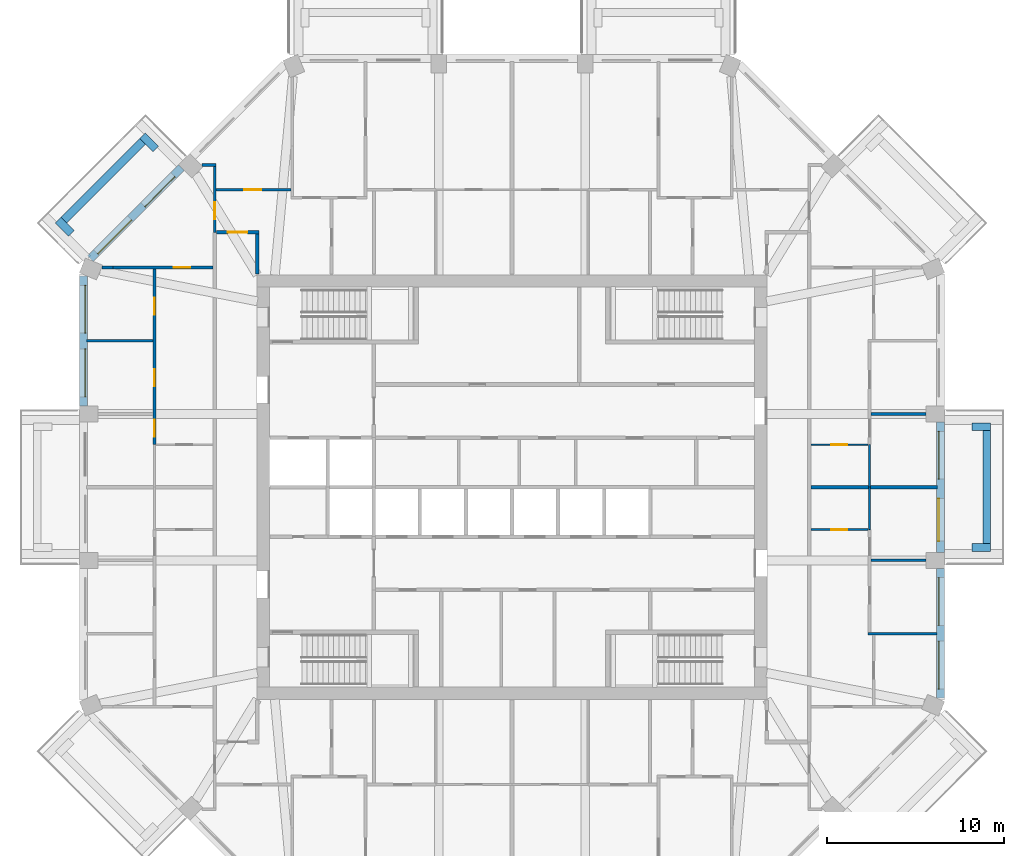
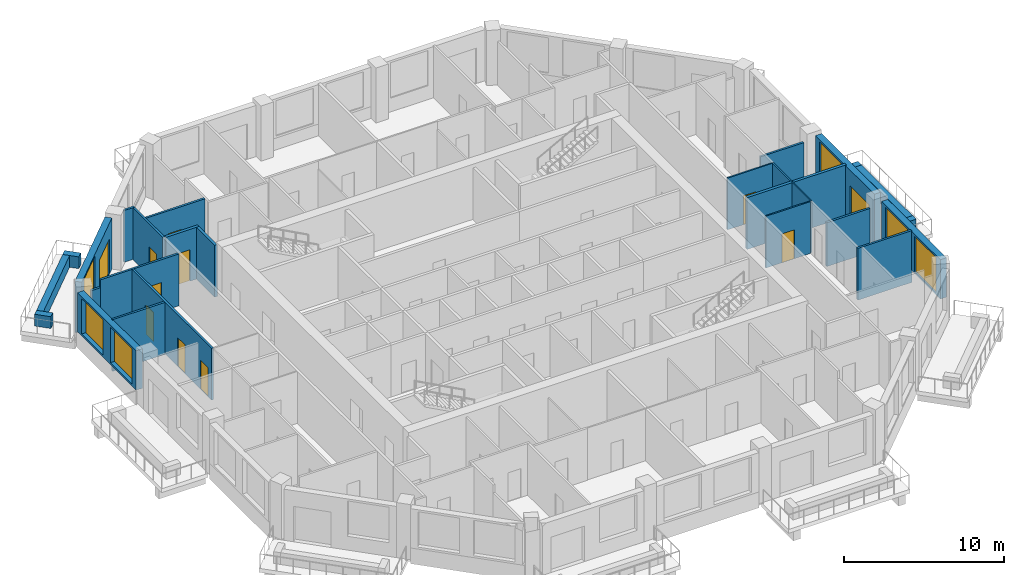
# One storey, part 7 of 12: 27 walls, 11 doors, 6 windows, 17 openings.
"""IFC4 building model written with IfcOpenShell, lengths in metres."""

from ifc_helpers import new_model, si_unit, direction, frame, frame_2d, origin, place, context, subcontext, project, spatial, rectangle, extrude, material, layer, layer_set, type_object, element, fill, save


model = new_model("IFC4")

# Units and contexts
model_context = context("Model", 3, precision=1e-05, world=origin(), true_north=direction((0.0, 1.0)))
body_context = subcontext(model_context, "Body", "Model", "MODEL_VIEW")
ifc_project = project(units=[si_unit("LENGTHUNIT", "METRE"), si_unit("AREAUNIT", "SQUARE_METRE"), si_unit("VOLUMEUNIT", "CUBIC_METRE"), si_unit("PLANEANGLEUNIT", "RADIAN"), si_unit("MASSUNIT", "GRAM", prefix="KILO")], contexts=[model_context])

# Site, building, storey
site_placement = place(None, origin())
site = spatial("IfcSite", under=ifc_project, at=site_placement, CompositionType="ELEMENT")
building_placement = place(site_placement, origin())
building = spatial("IfcBuilding", under=site, at=building_placement, Name="Msitu Wima Residences", CompositionType="ELEMENT")
storey_placement = place(building_placement, frame((0.0, 0.0, 174.89990234375)))
storey = spatial("IfcBuildingStorey", under=building, at=storey_placement, Name="L40", CompositionType="ELEMENT", Elevation=174.89990234375)

# Walls
ifc_material_1 = material(Name="Facing brick")
ifc_layer_1 = layer(ifc_material_1, 0.06494140625, Name="Facing brick")
ifc_material_2 = material(Name="Concrete C40/50", Category="concrete")
ifc_layer_2 = layer(ifc_material_2, 0.156005859375, Name="Concrete C40/50")
ifc_material_3 = material(Name="Waterproofing membrane")
ifc_layer_3 = layer(ifc_material_3, 0.00390625, Name="Waterproofing membrane")
ifc_material_4 = material(Name="Planting soil and planting")
ifc_layer_4 = layer(ifc_material_4, 0.22509765625, Name="Planting soil and planting")
ifc_layer_set_1 = layer_set([ifc_layer_1, ifc_layer_2, ifc_layer_3, ifc_layer_4], Name="Concrete C40/50")
wall_type_1 = type_object("IfcWallType", Name="Balcony planter PLANTER PL450", PredefinedType="USERDEFINED", material=ifc_layer_set_1)
wall_1_placement = place(storey_placement, frame((26.824951171875, -3.187255859375, 0.0), z_axis=(0.0, 0.0, 1.0), x_axis=(0.0, 1.0, 0.0)))
element("IfcWall", 1, at=wall_1_placement, inside=storey, type_object=wall_type_1, Name="Balcony planter E1 L40", ObjectType="PLANTER", PredefinedType="USERDEFINED", context=body_context, shape_type="SweptSolid", body=[
    extrude(rectangle(XDim=6.37451171875, YDim=0.449951171875, at=frame_2d((3.187255859375, 0.0))), origin(), (0.0, 0.0, 1.0), 0.900146484375),
])
for number, where, z_axis, x_axis, name in (
    (2, (26.0, -3.412353515625, 0.0), (0.0, 0.0, 1.0), (1.0, 0.0, 0.0), "Balcony planter E1 L40"),
    (3, (26.0, 3.412353515625, 0.0), (0.0, 0.0, 1.0), (1.0, 0.0, 0.0), "Balcony planter E1 L40"),
):
    element("IfcWall", number, at=place(storey_placement, frame(where, z_axis=z_axis, x_axis=x_axis)), inside=storey, type_object=wall_type_1, Name=name, ObjectType="PLANTER", PredefinedType="USERDEFINED", context=body_context, shape_type="SweptSolid", body=[
        extrude(rectangle(XDim=1.050048828125, YDim=0.449951171875, at=frame_2d((0.52490234375, 0.0))), origin(), (0.0, 0.0, 1.0), 0.900146484375),
    ])
wall_2_placement = place(storey_placement, frame((-20.875244140625, 19.53173828125, 0.0), z_axis=(0.0, 0.0, 1.0), x_axis=(-0.707106781187, -0.707106781187, 0.0)))
element("IfcWall", 4, at=wall_2_placement, inside=storey, type_object=wall_type_1, Name="Balcony planter NW1 L40", ObjectType="PLANTER", PredefinedType="USERDEFINED", context=body_context, shape_type="SweptSolid", body=[
    extrude(rectangle(XDim=6.294189453125, YDim=0.449951171875, at=frame_2d((3.14697265625, 0.0))), origin(), (0.0, 0.0, 1.0), 0.900146484375),
])
for number, where, z_axis, x_axis, name in (
    (5, (-20.1328125, 19.107421875, 0.0), (0.0, 0.0, 1.0), (-0.707106781187, 0.707106781187, 0.0), "Balcony planter NW1 L40"),
    (6, (-24.901611328125, 14.338623046875, 0.0), (0.0, 0.0, 1.0), (-0.707106781187, 0.707106781187, 0.0), "Balcony planter NW1 L40"),
):
    element("IfcWall", number, at=place(storey_placement, frame(where, z_axis=z_axis, x_axis=x_axis)), inside=storey, type_object=wall_type_1, Name=name, ObjectType="PLANTER", PredefinedType="USERDEFINED", context=body_context, shape_type="SweptSolid", body=[
        extrude(rectangle(XDim=1.050048828125, YDim=0.449951171875, at=frame_2d((0.52490234375, 0.0))), origin(), (0.0, 0.0, 1.0), 0.900146484375),
    ])

# Wall, openings, windows
ifc_material_5 = material(Name="Brick (red buff mix)", Category="masonry")
ifc_layer_5 = layer(ifc_material_5, 0.449951171875)
ifc_layer_set_2 = layer_set([ifc_layer_5], Name="Brick (red buff mix)")
wall_type_2 = type_object("IfcWallType", Name="Brick infill wall BW450", PredefinedType="SOLIDWALL", material=ifc_layer_set_2)
wall_3_placement = place(storey_placement, frame((24.22509765625, -11.9248046875, 0.900146484375), z_axis=(0.0, 0.0, 1.0), x_axis=(0.0, 1.0, 0.0)))
wall_3 = element("IfcWall", 7, at=wall_3_placement, inside=storey, type_object=wall_type_2, Name="Brick infill wall L40 E0", PredefinedType="SOLIDWALL", context=body_context, shape_type="SweptSolid", body=[
    extrude(rectangle(XDim=7.337646484375, YDim=0.449951171875, at=frame_2d((3.6689453125, 0.0))), origin(), (0.0, 0.0, 1.0), 3.0),
])
opening_1_placement = place(wall_3_placement, frame((0.518798828125, 0.0, 0.14990234375)))
opening_1 = element("IfcOpeningElement", 8, at=opening_1_placement, cuts=wall_3, Name="Opening W40-42.001", PredefinedType="OPENING", context=body_context, shape_type="SweptSolid", body=[
    extrude(rectangle(XDim=2.699951171875, YDim=2.699951171875, at=frame_2d((1.35009765625, 1.35009765625))), frame((0.0, 0.23486328125, 0.0), z_axis=(0.0, -1.0, 0.0), x_axis=(1.0, 0.0, 0.0)), (0.0, 0.0, 1.0), 0.469970703125),
])
opening_2_placement = place(wall_3_placement, frame((4.11865234375, 0.0, 0.14990234375)))
opening_2 = element("IfcOpeningElement", 9, at=opening_2_placement, cuts=wall_3, Name="Opening W40-42.002", PredefinedType="OPENING", context=body_context, shape_type="SweptSolid", body=[
    extrude(rectangle(XDim=2.699951171875, YDim=2.699951171875, at=frame_2d((1.35009765625, 1.35009765625))), frame((0.0, 0.23486328125, 0.0), z_axis=(0.0, -1.0, 0.0), x_axis=(1.0, 0.0, 0.0)), (0.0, 0.0, 1.0), 0.469970703125),
])
ifc_material_6 = material(Name="Anodised aluminium, bronze finish, clear low-emissivity double glazing", Category="aluminium")
window_type = type_object("IfcWindowType", Name="Window W2700x2700", PartitioningType="DOUBLE_PANEL_VERTICAL", PredefinedType="WINDOW", material=ifc_material_6)
window_1_placement = place(opening_1_placement, origin())
window_1 = element("IfcWindow", 10, at=window_1_placement, inside=storey, type_object=window_type, Name="Window L40 E0.1", OverallHeight=2.699951171875, OverallWidth=2.699951171875, PartitioningType="SINGLE_PANEL", PredefinedType="WINDOW", context=body_context, shape_type="SweptSolid", body=[
    extrude(rectangle(XDim=2.699951171875, YDim=2.699951171875, at=frame_2d((1.35009765625, 1.35009765625))), frame((0.0, 0.135009765625, 0.0), z_axis=(0.0, -1.0, 0.0), x_axis=(1.0, 0.0, 0.0)), (0.0, 0.0, 1.0), 0.06005859375),
])
fill(opening_1, window_1)
window_2_placement = place(opening_2_placement, origin())
window_2 = element("IfcWindow", 11, at=window_2_placement, inside=storey, type_object=window_type, Name="Window L40 E0.2", OverallHeight=2.699951171875, OverallWidth=2.699951171875, PartitioningType="SINGLE_PANEL", PredefinedType="WINDOW", context=body_context, shape_type="SweptSolid", body=[
    extrude(rectangle(XDim=2.699951171875, YDim=2.699951171875, at=frame_2d((1.35009765625, 1.35009765625))), frame((0.0, 0.135009765625, 0.0), z_axis=(0.0, -1.0, 0.0), x_axis=(1.0, 0.0, 0.0)), (0.0, 0.0, 1.0), 0.06005859375),
])
fill(opening_2, window_2)

# Wall, openings, door, window
wall_4_placement = place(storey_placement, frame((24.22509765625, -3.687255859375, 0.0), z_axis=(0.0, 0.0, 1.0), x_axis=(0.0, 1.0, 0.0)))
wall_4 = element("IfcWall", 12, at=wall_4_placement, inside=storey, type_object=wall_type_2, Name="Brick infill wall L40 E1", PredefinedType="SOLIDWALL", context=body_context, shape_type="SweptSolid", body=[
    extrude(rectangle(XDim=7.37451171875, YDim=0.449951171875, at=frame_2d((3.687255859375, 0.0))), origin(), (0.0, 0.0, 1.0), 3.900146484375),
])
opening_3_placement = place(wall_4_placement, frame((0.6435546875, 0.0, 0.0)))
opening_3 = element("IfcOpeningElement", 13, at=opening_3_placement, cuts=wall_4, Name="Opening D40-42.001", PredefinedType="OPENING", context=body_context, shape_type="SweptSolid", body=[
    extrude(rectangle(XDim=2.39990234375, YDim=2.699951171875, at=frame_2d((1.199951171875, 1.35009765625))), frame((0.0, 0.23486328125, 0.0), z_axis=(0.0, -1.0, 0.0), x_axis=(1.0, 0.0, 0.0)), (0.0, 0.0, 1.0), 0.469970703125),
])
opening_4_placement = place(wall_4_placement, frame((4.13720703125, 0.0, 1.050048828125)))
opening_4 = element("IfcOpeningElement", 14, at=opening_4_placement, cuts=wall_4, Name="Opening W40-42.003", PredefinedType="OPENING", context=body_context, shape_type="SweptSolid", body=[
    extrude(rectangle(XDim=2.699951171875, YDim=2.699951171875, at=frame_2d((1.35009765625, 1.35009765625))), frame((0.0, 0.23486328125, 0.0), z_axis=(0.0, -1.0, 0.0), x_axis=(1.0, 0.0, 0.0)), (0.0, 0.0, 1.0), 0.469970703125),
])
door_type_1 = type_object("IfcDoorType", Name="Balcony door D2400x2700", OperationType="SLIDING_TO_LEFT", PredefinedType="DOOR", material=ifc_material_6)
door_1_placement = place(opening_3_placement, origin())
door_1 = element("IfcDoor", 15, at=door_1_placement, inside=storey, type_object=door_type_1, Name="Balcony door L40 E1", OperationType="SINGLE_SWING_LEFT", OverallHeight=2.699951171875, OverallWidth=2.39990234375, PredefinedType="DOOR", context=body_context, shape_type="SweptSolid", body=[
    extrude(rectangle(XDim=2.39990234375, YDim=2.699951171875, at=frame_2d((1.199951171875, 1.35009765625))), frame((0.0, 0.1298828125, 0.0), z_axis=(0.0, -1.0, 0.0), x_axis=(1.0, 0.0, 0.0)), (0.0, 0.0, 1.0), 0.050048828125),
])
fill(opening_3, door_1)
window_3_placement = place(opening_4_placement, origin())
window_3 = element("IfcWindow", 16, at=window_3_placement, inside=storey, type_object=window_type, Name="Window L40 E1.2", OverallHeight=2.699951171875, OverallWidth=2.699951171875, PartitioningType="SINGLE_PANEL", PredefinedType="WINDOW", context=body_context, shape_type="SweptSolid", body=[
    extrude(rectangle(XDim=2.699951171875, YDim=2.699951171875, at=frame_2d((1.35009765625, 1.35009765625))), frame((0.0, 0.135009765625, 0.0), z_axis=(0.0, -1.0, 0.0), x_axis=(1.0, 0.0, 0.0)), (0.0, 0.0, 1.0), 0.06005859375),
])
fill(opening_4, window_3)

wall_5_placement = place(storey_placement, frame((-18.68310546875, 18.046875, 0.0), z_axis=(0.0, 0.0, 1.0), x_axis=(-0.707106781187, -0.707106781187, 0.0)))
wall_5 = element("IfcWall", 17, at=wall_5_placement, inside=storey, type_object=wall_type_2, Name="Brick infill wall L40 NW1", PredefinedType="SOLIDWALL", context=body_context, shape_type="SweptSolid", body=[
    extrude(rectangle(XDim=7.257080078125, YDim=0.449951171875, at=frame_2d((3.62841796875, 0.0))), origin(), (0.0, 0.0, 1.0), 3.900146484375),
])
opening_5_placement = place(wall_5_placement, frame((0.6142578125, 0.0, 0.0)))
opening_5 = element("IfcOpeningElement", 18, at=opening_5_placement, cuts=wall_5, Name="Opening D40-42.005", PredefinedType="OPENING", context=body_context, shape_type="SweptSolid", body=[
    extrude(rectangle(XDim=2.39990234375, YDim=2.699951171875, at=frame_2d((1.199951171875, 1.35009765625))), frame((0.0, 0.23486328125, 0.0), z_axis=(0.0, -1.0, 0.0), x_axis=(1.0, 0.0, 0.0)), (0.0, 0.0, 1.0), 0.469970703125),
])
opening_6_placement = place(wall_5_placement, frame((4.07861328125, 0.0, 1.050048828125)))
opening_6 = element("IfcOpeningElement", 19, at=opening_6_placement, cuts=wall_5, Name="Opening W40-42.015", PredefinedType="OPENING", context=body_context, shape_type="SweptSolid", body=[
    extrude(rectangle(XDim=2.699951171875, YDim=2.699951171875, at=frame_2d((1.35009765625, 1.35009765625))), frame((0.0, 0.23486328125, 0.0), z_axis=(0.0, -1.0, 0.0), x_axis=(1.0, 0.0, 0.0)), (0.0, 0.0, 1.0), 0.469970703125),
])
door_2_placement = place(opening_5_placement, origin())
door_2 = element("IfcDoor", 20, at=door_2_placement, inside=storey, type_object=door_type_1, Name="Balcony door L40 NW1", OperationType="SINGLE_SWING_LEFT", OverallHeight=2.699951171875, OverallWidth=2.39990234375, PredefinedType="DOOR", context=body_context, shape_type="SweptSolid", body=[
    extrude(rectangle(XDim=2.39990234375, YDim=2.699951171875, at=frame_2d((1.199951171875, 1.35009765625))), frame((0.0, 0.1298828125, 0.0), z_axis=(0.0, -1.0, 0.0), x_axis=(1.0, 0.0, 0.0)), (0.0, 0.0, 1.0), 0.050048828125),
])
fill(opening_5, door_2)
window_4_placement = place(opening_6_placement, origin())
window_4 = element("IfcWindow", 21, at=window_4_placement, inside=storey, type_object=window_type, Name="Window L40 NW1.2", OverallHeight=2.699951171875, OverallWidth=2.699951171875, PartitioningType="SINGLE_PANEL", PredefinedType="WINDOW", context=body_context, shape_type="SweptSolid", body=[
    extrude(rectangle(XDim=2.699951171875, YDim=2.699951171875, at=frame_2d((1.35009765625, 1.35009765625))), frame((0.0, 0.135009765625, 0.0), z_axis=(0.0, -1.0, 0.0), x_axis=(1.0, 0.0, 0.0)), (0.0, 0.0, 1.0), 0.06005859375),
])
fill(opening_6, window_4)

# Wall, openings, windows
wall_6_placement = place(storey_placement, frame((-24.22509765625, 11.9248046875, 0.900146484375), z_axis=(0.0, 0.0, 1.0), x_axis=(0.0, -1.0, 0.0)))
wall_6 = element("IfcWall", 22, at=wall_6_placement, inside=storey, type_object=wall_type_2, Name="Brick infill wall L40 W0", PredefinedType="SOLIDWALL", context=body_context, shape_type="SweptSolid", body=[
    extrude(rectangle(XDim=7.337646484375, YDim=0.449951171875, at=frame_2d((3.6689453125, 0.0))), origin(), (0.0, 0.0, 1.0), 3.0),
])
opening_7_placement = place(wall_6_placement, frame((0.518798828125, 0.0, 0.14990234375)))
opening_7 = element("IfcOpeningElement", 23, at=opening_7_placement, cuts=wall_6, Name="Opening W40-42.026", PredefinedType="OPENING", context=body_context, shape_type="SweptSolid", body=[
    extrude(rectangle(XDim=2.699951171875, YDim=2.699951171875, at=frame_2d((1.35009765625, 1.35009765625))), frame((0.0, 0.23486328125, 0.0), z_axis=(0.0, -1.0, 0.0), x_axis=(1.0, 0.0, 0.0)), (0.0, 0.0, 1.0), 0.469970703125),
])
opening_8_placement = place(wall_6_placement, frame((4.11865234375, 0.0, 0.14990234375)))
opening_8 = element("IfcOpeningElement", 24, at=opening_8_placement, cuts=wall_6, Name="Opening W40-42.027", PredefinedType="OPENING", context=body_context, shape_type="SweptSolid", body=[
    extrude(rectangle(XDim=2.699951171875, YDim=2.699951171875, at=frame_2d((1.35009765625, 1.35009765625))), frame((0.0, 0.23486328125, 0.0), z_axis=(0.0, -1.0, 0.0), x_axis=(1.0, 0.0, 0.0)), (0.0, 0.0, 1.0), 0.469970703125),
])
window_5_placement = place(opening_7_placement, origin())
window_5 = element("IfcWindow", 25, at=window_5_placement, inside=storey, type_object=window_type, Name="Window L40 W0.1", OverallHeight=2.699951171875, OverallWidth=2.699951171875, PartitioningType="SINGLE_PANEL", PredefinedType="WINDOW", context=body_context, shape_type="SweptSolid", body=[
    extrude(rectangle(XDim=2.699951171875, YDim=2.699951171875, at=frame_2d((1.35009765625, 1.35009765625))), frame((0.0, 0.135009765625, 0.0), z_axis=(0.0, -1.0, 0.0), x_axis=(1.0, 0.0, 0.0)), (0.0, 0.0, 1.0), 0.06005859375),
])
fill(opening_7, window_5)
window_6_placement = place(opening_8_placement, origin())
window_6 = element("IfcWindow", 26, at=window_6_placement, inside=storey, type_object=window_type, Name="Window L40 W0.2", OverallHeight=2.699951171875, OverallWidth=2.699951171875, PartitioningType="SINGLE_PANEL", PredefinedType="WINDOW", context=body_context, shape_type="SweptSolid", body=[
    extrude(rectangle(XDim=2.699951171875, YDim=2.699951171875, at=frame_2d((1.35009765625, 1.35009765625))), frame((0.0, 0.135009765625, 0.0), z_axis=(0.0, -1.0, 0.0), x_axis=(1.0, 0.0, 0.0)), (0.0, 0.0, 1.0), 0.06005859375),
])
fill(opening_8, window_6)

# Wall, opening, door
ifc_material_7 = material(Name="Plaster")
ifc_layer_6 = layer(ifc_material_7, 0.011962890625, Name="Plaster")
ifc_material_8 = material(Name="Concrete blockwork", Category="masonry")
ifc_layer_7 = layer(ifc_material_8, 0.176025390625, Name="Concrete blockwork")
ifc_layer_8 = layer(ifc_material_7, 0.011962890625, Name="Plaster")
ifc_layer_set_3 = layer_set([ifc_layer_6, ifc_layer_7, ifc_layer_8], Name="Concrete blockwork")
wall_type_3 = type_object("IfcWallType", Name="Corridor wall FW200", PredefinedType="PARTITIONING", material=ifc_layer_set_3)
wall_7_placement = place(storey_placement, frame((-16.699951171875, 14.39990234375, 0.0), z_axis=(0.0, 0.0, 1.0), x_axis=(1.0, 0.0, 0.0)))
wall_7 = element("IfcWall", 27, at=wall_7_placement, inside=storey, type_object=wall_type_3, Name="Corridor wall", PredefinedType="PARTITIONING", context=body_context, shape_type="SweptSolid", body=[
    extrude(rectangle(XDim=2.39990234375, YDim=0.199951171875, at=frame_2d((1.199951171875, 0.0))), origin(), (0.0, 0.0, 1.0), 3.9501953125),
])
opening_9_placement = place(wall_7_placement, frame((0.64990234375, 0.0, 0.0)))
opening_9 = element("IfcOpeningElement", 28, at=opening_9_placement, cuts=wall_7, Name="Opening D40-42.025", PredefinedType="OPENING", context=body_context, shape_type="SweptSolid", body=[
    extrude(rectangle(XDim=1.10009765625, YDim=2.39990234375, at=frame_2d((0.550048828125, 1.199951171875))), frame((0.0, 0.10986328125, 0.0), z_axis=(0.0, -1.0, 0.0), x_axis=(1.0, 0.0, 0.0)), (0.0, 0.0, 1.0), 0.219970703125),
])
ifc_material_9 = material(Name="Timber flush door, fire resisting, self-closing", Category="wood")
door_type_2 = type_object("IfcDoorType", Name="Flat entrance door D01 1100x2400", OperationType="SINGLE_SWING_LEFT", PredefinedType="DOOR", material=ifc_material_9)
door_3_placement = place(opening_9_placement, origin())
door_3 = element("IfcDoor", 29, at=door_3_placement, inside=storey, type_object=door_type_2, Name="Flat entrance door", OperationType="SINGLE_SWING_LEFT", OverallHeight=2.39990234375, OverallWidth=1.10009765625, PredefinedType="DOOR", context=body_context, shape_type="SweptSolid", body=[
    extrude(rectangle(XDim=1.10009765625, YDim=2.39990234375, at=frame_2d((0.550048828125, 1.199951171875))), frame((0.0, 0.02490234375, 0.0), z_axis=(0.0, -1.0, 0.0), x_axis=(1.0, 0.0, 0.0)), (0.0, 0.0, 1.0), 0.050048828125),
])
fill(opening_9, door_3)

# Walls
wall_8_placement = place(storey_placement, frame((-14.39990234375, 12.030029296875, 0.0), z_axis=(0.0, 0.0, 1.0), x_axis=(0.0, 1.0, 0.0)))
element("IfcWall", 30, at=wall_8_placement, inside=storey, type_object=wall_type_3, Name="Corridor wall", PredefinedType="PARTITIONING", context=body_context, shape_type="SweptSolid", body=[
    extrude(rectangle(XDim=2.27001953125, YDim=0.199951171875, at=frame_2d((1.135009765625, 0.0))), origin(), (0.0, 0.0, 1.0), 3.9501953125),
])
ifc_layer_9 = layer(ifc_material_7, 0.011962890625, Name="Plaster")
ifc_layer_10 = layer(ifc_material_8, 0.1259765625, Name="Concrete blockwork")
ifc_layer_11 = layer(ifc_material_7, 0.011962890625, Name="Plaster")
ifc_layer_set_4 = layer_set([ifc_layer_9, ifc_layer_10, ifc_layer_11], Name="Concrete blockwork")
wall_type_4 = type_object("IfcWallType", Name="Partition PW150", PredefinedType="PARTITIONING", material=ifc_layer_set_4)
wall_9_placement = place(storey_placement, frame((-24.054931640625, 8.2744140625, 0.0), z_axis=(0.0, 0.0, 1.0), x_axis=(1.0, 0.0, 0.0)))
element("IfcWall", 31, at=wall_9_placement, inside=storey, type_object=wall_type_4, Name="Partition", PredefinedType="PARTITIONING", context=body_context, shape_type="SweptSolid", body=[
    extrude(rectangle(XDim=3.780029296875, YDim=0.14990234375, at=frame_2d((1.89013671875, 0.0))), origin(), (0.0, 0.0, 1.0), 3.9501953125),
])
wall_10_placement = place(storey_placement, frame((-23.1689453125, 12.411865234375, 0.0), z_axis=(0.0, 0.0, 1.0), x_axis=(1.0, 0.0, 0.0)))
element("IfcWall", 32, at=wall_10_placement, inside=storey, type_object=wall_type_4, Name="Partition", PredefinedType="PARTITIONING", context=body_context, shape_type="SweptSolid", body=[
    extrude(rectangle(XDim=0.630615234375, YDim=0.14990234375, at=frame_2d((0.3154296875, 0.0))), origin(), (0.0, 0.0, 1.0), 3.35009765625),
])

# Wall, opening, door
wall_11_placement = place(storey_placement, frame((-22.538330078125, 12.411865234375, 0.0), z_axis=(0.0, 0.0, 1.0), x_axis=(1.0, 0.0, 0.0)))
wall_11 = element("IfcWall", 33, at=wall_11_placement, inside=storey, type_object=wall_type_4, Name="Partition", PredefinedType="PARTITIONING", context=body_context, shape_type="SweptSolid", body=[
    extrude(rectangle(XDim=5.638427734375, YDim=0.14990234375, at=frame_2d((2.8193359375, 0.0))), origin(), (0.0, 0.0, 1.0), 3.9501953125),
])
opening_10_placement = place(wall_11_placement, frame((3.41943359375, 0.0, 0.0)))
opening_10 = element("IfcOpeningElement", 34, at=opening_10_placement, cuts=wall_11, Name="Opening D40-42.035", PredefinedType="OPENING", context=body_context, shape_type="SweptSolid", body=[
    extrude(rectangle(XDim=0.949951171875, YDim=2.199951171875, at=frame_2d((0.47509765625, 1.10009765625))), frame((0.0, 0.0849609375, 0.0), z_axis=(0.0, -1.0, 0.0), x_axis=(1.0, 0.0, 0.0)), (0.0, 0.0, 1.0), 0.169921875),
])
ifc_material_10 = material(Name="Timber flush door", Category="wood")
door_type_3 = type_object("IfcDoorType", Name="Room door D12 950x2200", OperationType="SINGLE_SWING_LEFT", PredefinedType="DOOR", material=ifc_material_10)
door_4_placement = place(opening_10_placement, origin())
door_4 = element("IfcDoor", 35, at=door_4_placement, inside=storey, type_object=door_type_3, Name="Room door", OperationType="SINGLE_SWING_RIGHT", OverallHeight=2.199951171875, OverallWidth=0.949951171875, PredefinedType="DOOR", context=body_context, shape_type="SweptSolid", body=[
    extrude(rectangle(XDim=0.949951171875, YDim=2.199951171875, at=frame_2d((0.47509765625, 1.10009765625))), frame((0.0, 0.02490234375, 0.0), z_axis=(0.0, -1.0, 0.0), x_axis=(1.0, 0.0, 0.0)), (0.0, 0.0, 1.0), 0.050048828125),
])
fill(opening_10, door_4)

# Wall, openings, doors
wall_12_placement = place(storey_placement, frame((-20.199951171875, 2.39990234375, 0.0), z_axis=(0.0, 0.0, 1.0), x_axis=(0.0, 1.0, 0.0)))
wall_12 = element("IfcWall", 36, at=wall_12_placement, inside=storey, type_object=wall_type_4, Name="Partition", PredefinedType="PARTITIONING", context=body_context, shape_type="SweptSolid", body=[
    extrude(rectangle(XDim=9.936767578125, YDim=0.14990234375, at=frame_2d((4.96826171875, 0.0))), origin(), (0.0, 0.0, 1.0), 3.9501953125),
])
opening_11_placement = place(wall_12_placement, frame((0.449951171875, 0.0, 0.0)))
opening_11 = element("IfcOpeningElement", 37, at=opening_11_placement, cuts=wall_12, Name="Opening D40-42.036", PredefinedType="OPENING", context=body_context, shape_type="SweptSolid", body=[
    extrude(rectangle(XDim=0.949951171875, YDim=2.199951171875, at=frame_2d((0.47509765625, 1.10009765625))), frame((0.0, 0.0849609375, 0.0), z_axis=(0.0, -1.0, 0.0), x_axis=(1.0, 0.0, 0.0)), (0.0, 0.0, 1.0), 0.169921875),
])
opening_12_placement = place(wall_12_placement, frame((3.300048828125, 0.0, 0.0)))
opening_12 = element("IfcOpeningElement", 38, at=opening_12_placement, cuts=wall_12, Name="Opening D40-42.037", PredefinedType="OPENING", context=body_context, shape_type="SweptSolid", body=[
    extrude(rectangle(XDim=0.949951171875, YDim=2.199951171875, at=frame_2d((0.47509765625, 1.10009765625))), frame((0.0, 0.0849609375, 0.0), z_axis=(0.0, -1.0, 0.0), x_axis=(1.0, 0.0, 0.0)), (0.0, 0.0, 1.0), 0.169921875),
])
opening_13_placement = place(wall_12_placement, frame((7.35009765625, 0.0, 0.0)))
opening_13 = element("IfcOpeningElement", 39, at=opening_13_placement, cuts=wall_12, Name="Opening D40-42.038", PredefinedType="OPENING", context=body_context, shape_type="SweptSolid", body=[
    extrude(rectangle(XDim=0.949951171875, YDim=2.199951171875, at=frame_2d((0.47509765625, 1.10009765625))), frame((0.0, 0.0849609375, 0.0), z_axis=(0.0, -1.0, 0.0), x_axis=(1.0, 0.0, 0.0)), (0.0, 0.0, 1.0), 0.169921875),
])
door_5_placement = place(opening_11_placement, origin())
door_5 = element("IfcDoor", 40, at=door_5_placement, inside=storey, type_object=door_type_3, Name="Room door", OperationType="SINGLE_SWING_RIGHT", OverallHeight=2.199951171875, OverallWidth=0.949951171875, PredefinedType="DOOR", context=body_context, shape_type="SweptSolid", body=[
    extrude(rectangle(XDim=0.949951171875, YDim=2.199951171875, at=frame_2d((0.47509765625, 1.10009765625))), frame((0.0, 0.02490234375, 0.0), z_axis=(0.0, -1.0, 0.0), x_axis=(1.0, 0.0, 0.0)), (0.0, 0.0, 1.0), 0.050048828125),
])
fill(opening_11, door_5)
door_6_placement = place(opening_12_placement, origin())
door_6 = element("IfcDoor", 41, at=door_6_placement, inside=storey, type_object=door_type_3, Name="Room door", OperationType="SINGLE_SWING_RIGHT", OverallHeight=2.199951171875, OverallWidth=0.949951171875, PredefinedType="DOOR", context=body_context, shape_type="SweptSolid", body=[
    extrude(rectangle(XDim=0.949951171875, YDim=2.199951171875, at=frame_2d((0.47509765625, 1.10009765625))), frame((0.0, 0.02490234375, 0.0), z_axis=(0.0, -1.0, 0.0), x_axis=(1.0, 0.0, 0.0)), (0.0, 0.0, 1.0), 0.050048828125),
])
fill(opening_12, door_6)
door_7_placement = place(opening_13_placement, origin())
door_7 = element("IfcDoor", 42, at=door_7_placement, inside=storey, type_object=door_type_3, Name="Room door", OperationType="SINGLE_SWING_LEFT", OverallHeight=2.199951171875, OverallWidth=0.949951171875, PredefinedType="DOOR", context=body_context, shape_type="SweptSolid", body=[
    extrude(rectangle(XDim=0.949951171875, YDim=2.199951171875, at=frame_2d((0.47509765625, 1.10009765625))), frame((0.0, 0.02490234375, 0.0), z_axis=(0.0, -1.0, 0.0), x_axis=(1.0, 0.0, 0.0)), (0.0, 0.0, 1.0), 0.050048828125),
])
fill(opening_13, door_7)

# Wall
wall_13_placement = place(storey_placement, frame((-17.509521484375, 18.205810546875, 0.0), z_axis=(0.0, 0.0, 1.0), x_axis=(1.0, 0.0, 0.0)))
element("IfcWall", 43, at=wall_13_placement, inside=storey, type_object=wall_type_4, Name="Partition", PredefinedType="PARTITIONING", context=body_context, shape_type="SweptSolid", body=[
    extrude(rectangle(XDim=0.784423828125, YDim=0.14990234375, at=frame_2d((0.39208984375, 0.0))), origin(), (0.0, 0.0, 1.0), 3.9501953125),
])

# Wall, opening, door
wall_14_placement = place(storey_placement, frame((-16.800048828125, 14.39990234375, 0.0), z_axis=(0.0, 0.0, 1.0), x_axis=(0.0, 1.0, 0.0)))
wall_14 = element("IfcWall", 44, at=wall_14_placement, inside=storey, type_object=wall_type_4, Name="Partition", PredefinedType="PARTITIONING", context=body_context, shape_type="SweptSolid", body=[
    extrude(rectangle(XDim=3.73095703125, YDim=0.14990234375, at=frame_2d((1.865478515625, 0.0))), origin(), (0.0, 0.0, 1.0), 3.9501953125),
])
opening_14_placement = place(wall_14_placement, frame((0.75, 0.0, 0.0)))
opening_14 = element("IfcOpeningElement", 45, at=opening_14_placement, cuts=wall_14, Name="Opening D40-42.033", PredefinedType="OPENING", context=body_context, shape_type="SweptSolid", body=[
    extrude(rectangle(XDim=0.949951171875, YDim=2.199951171875, at=frame_2d((0.47509765625, 1.10009765625))), frame((0.0, 0.0849609375, 0.0), z_axis=(0.0, -1.0, 0.0), x_axis=(1.0, 0.0, 0.0)), (0.0, 0.0, 1.0), 0.169921875),
])
door_8_placement = place(opening_14_placement, origin())
door_8 = element("IfcDoor", 46, at=door_8_placement, inside=storey, type_object=door_type_3, Name="Room door", OperationType="SINGLE_SWING_RIGHT", OverallHeight=2.199951171875, OverallWidth=0.949951171875, PredefinedType="DOOR", context=body_context, shape_type="SweptSolid", body=[
    extrude(rectangle(XDim=0.949951171875, YDim=2.199951171875, at=frame_2d((0.47509765625, 1.10009765625))), frame((0.0, 0.02490234375, 0.0), z_axis=(0.0, -1.0, 0.0), x_axis=(1.0, 0.0, 0.0)), (0.0, 0.0, 1.0), 0.050048828125),
])
fill(opening_14, door_8)

wall_15_placement = place(storey_placement, frame((-16.72509765625, 16.800048828125, 0.0), z_axis=(0.0, 0.0, 1.0), x_axis=(1.0, 0.0, 0.0)))
wall_15 = element("IfcWall", 47, at=wall_15_placement, inside=storey, type_object=wall_type_4, Name="Partition", PredefinedType="PARTITIONING", context=body_context, shape_type="SweptSolid", body=[
    extrude(rectangle(XDim=4.23828125, YDim=0.14990234375, at=frame_2d((2.119140625, 0.0))), origin(), (0.0, 0.0, 1.0), 3.9501953125),
])
opening_15_placement = place(wall_15_placement, frame((1.60009765625, 0.0, 0.0)))
opening_15 = element("IfcOpeningElement", 48, at=opening_15_placement, cuts=wall_15, Name="Opening D40-42.032", PredefinedType="OPENING", context=body_context, shape_type="SweptSolid", body=[
    extrude(rectangle(XDim=0.949951171875, YDim=2.199951171875, at=frame_2d((0.47509765625, 1.10009765625))), frame((0.0, 0.0849609375, 0.0), z_axis=(0.0, -1.0, 0.0), x_axis=(1.0, 0.0, 0.0)), (0.0, 0.0, 1.0), 0.169921875),
])
door_9_placement = place(opening_15_placement, origin())
door_9 = element("IfcDoor", 49, at=door_9_placement, inside=storey, type_object=door_type_3, Name="Room door", OperationType="SINGLE_SWING_LEFT", OverallHeight=2.199951171875, OverallWidth=0.949951171875, PredefinedType="DOOR", context=body_context, shape_type="SweptSolid", body=[
    extrude(rectangle(XDim=0.949951171875, YDim=2.199951171875, at=frame_2d((0.47509765625, 1.10009765625))), frame((0.0, 0.02490234375, 0.0), z_axis=(0.0, -1.0, 0.0), x_axis=(1.0, 0.0, 0.0)), (0.0, 0.0, 1.0), 0.050048828125),
])
fill(opening_15, door_9)

# Walls
wall_16_placement = place(storey_placement, frame((20.125, -8.2744140625, 0.0), z_axis=(0.0, 0.0, 1.0), x_axis=(1.0, 0.0, 0.0)))
element("IfcWall", 50, at=wall_16_placement, inside=storey, type_object=wall_type_4, Name="Partition", PredefinedType="PARTITIONING", context=body_context, shape_type="SweptSolid", body=[
    extrude(rectangle(XDim=3.89990234375, YDim=0.14990234375, at=frame_2d((1.949951171875, 0.0))), origin(), (0.0, 0.0, 1.0), 3.9501953125),
])
for number, where, z_axis, x_axis, name in (
    (51, (20.27490234375, -4.13720703125, 0.0), (0.0, 0.0, 1.0), (1.0, 0.0, 0.0), "Partition"),
    (52, (20.27490234375, 4.13720703125, 0.0), (0.0, 0.0, 1.0), (1.0, 0.0, 0.0), "Partition"),
):
    element("IfcWall", number, at=place(storey_placement, frame(where, z_axis=z_axis, x_axis=x_axis)), inside=storey, type_object=wall_type_4, Name=name, PredefinedType="PARTITIONING", context=body_context, shape_type="SweptSolid", body=[
        extrude(rectangle(XDim=3.125, YDim=0.14990234375, at=frame_2d((1.5625, 0.0))), origin(), (0.0, 0.0, 1.0), 3.35009765625),
    ])
ifc_layer_12 = layer(ifc_material_7, 0.011962890625, Name="Plaster")
ifc_material_11 = material(Name="Dense concrete blockwork", Category="masonry")
ifc_layer_13 = layer(ifc_material_11, 0.176025390625, Name="Dense concrete blockwork")
ifc_layer_14 = layer(ifc_material_7, 0.011962890625, Name="Plaster")
ifc_layer_set_5 = layer_set([ifc_layer_12, ifc_layer_13, ifc_layer_14], Name="Dense concrete blockwork")
wall_type_5 = type_object("IfcWallType", Name="Party wall PW200", PredefinedType="PARTITIONING", material=ifc_layer_set_5)
wall_17_placement = place(storey_placement, frame((16.89990234375, 0.0, 0.0), z_axis=(0.0, 0.0, 1.0), x_axis=(1.0, 0.0, 0.0)))
element("IfcWall", 53, at=wall_17_placement, inside=storey, type_object=wall_type_5, Name="Party wall", PredefinedType="PARTITIONING", context=body_context, shape_type="SweptSolid", body=[
    extrude(rectangle(XDim=7.155029296875, YDim=0.199951171875, at=frame_2d((3.57763671875, 0.0))), origin(), (0.0, 0.0, 1.0), 3.9501953125),
])

# Wall, opening, door
ifc_material_12 = material(Name="Ceramic tiles")
ifc_layer_15 = layer(ifc_material_12, 0.008056640625, Name="Ceramic tiles")
ifc_material_13 = material(Name="Moisture-resistant board")
ifc_layer_16 = layer(ifc_material_13, 0.012451171875, Name="Moisture-resistant board")
ifc_material_14 = material(Name="Light-gauge stud framing with mineral wool")
ifc_layer_17 = layer(ifc_material_14, 0.06689453125, Name="Light-gauge stud framing with mineral wool")
ifc_layer_18 = layer(ifc_material_13, 0.012451171875, Name="Moisture-resistant board")
ifc_layer_set_6 = layer_set([ifc_layer_15, ifc_layer_16, ifc_layer_17, ifc_layer_18], Name="Light-gauge stud framing with mineral wool")
wall_type_6 = type_object("IfcWallType", Name="Wet wall PW100", PredefinedType="PARTITIONING", material=ifc_layer_set_6)
wall_18_placement = place(storey_placement, frame((16.89990234375, -2.39990234375, 0.0), z_axis=(0.0, 0.0, 1.0), x_axis=(1.0, 0.0, 0.0)))
wall_18 = element("IfcWall", 54, at=wall_18_placement, inside=storey, type_object=wall_type_6, Name="Wet wall", PredefinedType="PARTITIONING", context=body_context, shape_type="SweptSolid", body=[
    extrude(rectangle(XDim=3.22509765625, YDim=0.10009765625, at=frame_2d((1.612548828125, 0.0))), origin(), (0.0, 0.0, 1.0), 3.9501953125),
])
opening_16_placement = place(wall_18_placement, frame((1.14990234375, 0.0, 0.0)))
opening_16 = element("IfcOpeningElement", 55, at=opening_16_placement, cuts=wall_18, Name="Opening D40-42.057", PredefinedType="OPENING", context=body_context, shape_type="SweptSolid", body=[
    extrude(rectangle(XDim=0.89990234375, YDim=2.199951171875, at=frame_2d((0.449951171875, 1.10009765625))), frame((0.0, 0.06005859375, 0.0), z_axis=(0.0, -1.0, 0.0), x_axis=(1.0, 0.0, 0.0)), (0.0, 0.0, 1.0), 0.1201171875),
])
ifc_material_15 = material(Name="Timber flush door, moisture resistant", Category="wood")
door_type_4 = type_object("IfcDoorType", Name="Bathroom door D03 900x2200", OperationType="SINGLE_SWING_LEFT", PredefinedType="DOOR", material=ifc_material_15)
door_10_placement = place(opening_16_placement, origin())
door_10 = element("IfcDoor", 56, at=door_10_placement, inside=storey, type_object=door_type_4, Name="Bathroom door", OperationType="SINGLE_SWING_LEFT", OverallHeight=2.199951171875, OverallWidth=0.89990234375, PredefinedType="DOOR", context=body_context, shape_type="SweptSolid", body=[
    extrude(rectangle(XDim=0.89990234375, YDim=2.199951171875, at=frame_2d((0.449951171875, 1.10009765625))), frame((0.0, 0.02490234375, 0.0), z_axis=(0.0, -1.0, 0.0), x_axis=(1.0, 0.0, 0.0)), (0.0, 0.0, 1.0), 0.050048828125),
])
fill(opening_16, door_10)

wall_19_placement = place(storey_placement, frame((16.89990234375, 2.39990234375, 0.0), z_axis=(0.0, 0.0, 1.0), x_axis=(1.0, 0.0, 0.0)))
wall_19 = element("IfcWall", 57, at=wall_19_placement, inside=storey, type_object=wall_type_6, Name="Wet wall", PredefinedType="PARTITIONING", context=body_context, shape_type="SweptSolid", body=[
    extrude(rectangle(XDim=3.22509765625, YDim=0.10009765625, at=frame_2d((1.612548828125, 0.0))), origin(), (0.0, 0.0, 1.0), 3.9501953125),
])
opening_17_placement = place(wall_19_placement, frame((1.14990234375, 0.0, 0.0)))
opening_17 = element("IfcOpeningElement", 58, at=opening_17_placement, cuts=wall_19, Name="Opening D40-42.015", PredefinedType="OPENING", context=body_context, shape_type="SweptSolid", body=[
    extrude(rectangle(XDim=0.89990234375, YDim=2.199951171875, at=frame_2d((0.449951171875, 1.10009765625))), frame((0.0, 0.06005859375, 0.0), z_axis=(0.0, -1.0, 0.0), x_axis=(1.0, 0.0, 0.0)), (0.0, 0.0, 1.0), 0.1201171875),
])
door_11_placement = place(opening_17_placement, origin())
door_11 = element("IfcDoor", 59, at=door_11_placement, inside=storey, type_object=door_type_4, Name="Bathroom door", OperationType="SINGLE_SWING_RIGHT", OverallHeight=2.199951171875, OverallWidth=0.89990234375, PredefinedType="DOOR", context=body_context, shape_type="SweptSolid", body=[
    extrude(rectangle(XDim=0.89990234375, YDim=2.199951171875, at=frame_2d((0.449951171875, 1.10009765625))), frame((0.0, 0.02490234375, 0.0), z_axis=(0.0, -1.0, 0.0), x_axis=(1.0, 0.0, 0.0)), (0.0, 0.0, 1.0), 0.050048828125),
])
fill(opening_17, door_11)

# Walls
for number, where, z_axis, x_axis, name in (
    (60, (20.199951171875, -2.39990234375, 0.0), (0.0, 0.0, 1.0), (0.0, 1.0, 0.0), "Wet wall"),
    (61, (20.199951171875, 0.0, 0.0), (0.0, 0.0, 1.0), (0.0, 1.0, 0.0), "Wet wall"),
):
    element("IfcWall", number, at=place(storey_placement, frame(where, z_axis=z_axis, x_axis=x_axis)), inside=storey, type_object=wall_type_6, Name=name, PredefinedType="PARTITIONING", context=body_context, shape_type="SweptSolid", body=[
        extrude(rectangle(XDim=2.39990234375, YDim=0.10009765625, at=frame_2d((1.199951171875, 0.0))), origin(), (0.0, 0.0, 1.0), 3.9501953125),
    ])

save(model, "model.ifc")
